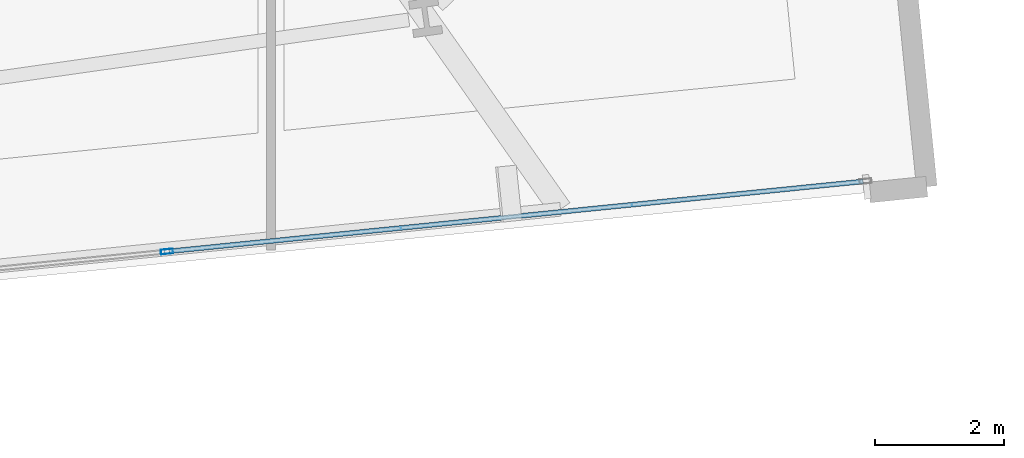
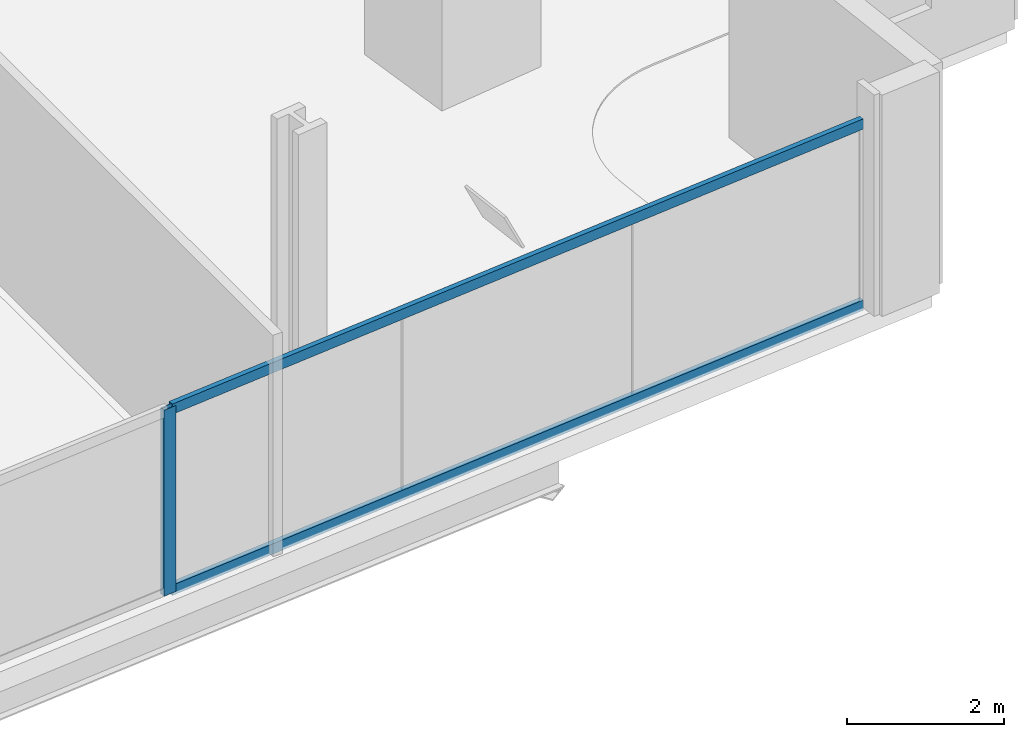
# One storey, part 9 of 33: 3 members, 1 element without a shape of its own.
"""IFC4 building model written with IfcOpenShell, lengths in metres."""

from ifc_helpers import new_model, si_unit, direction, frame, origin, origin_2d, place, context, subcontext, project, spatial, hollow_rectangle, extrude, material, material_profile, profile_set, type_object, element, aggregate, save


model = new_model("IFC4")

# Units and contexts
model_context = context("Model", 3, precision=1e-05, world=origin(), true_north=direction((0.0, 1.0)))
body_context = subcontext(model_context, "Body", "Model", "MODEL_VIEW")
ifc_project = project(units=[si_unit("LENGTHUNIT", "METRE"), si_unit("AREAUNIT", "SQUARE_METRE"), si_unit("VOLUMEUNIT", "CUBIC_METRE"), si_unit("PLANEANGLEUNIT", "RADIAN"), si_unit("MASSUNIT", "GRAM", prefix="KILO")], contexts=[model_context])

# Site, building, storey
site_placement = place(None, origin())
site = spatial("IfcSite", under=ifc_project, at=site_placement, CompositionType="ELEMENT")
building_placement = place(site_placement, origin())
building = spatial("IfcBuilding", under=site, at=building_placement, Name="Haldenkirk Collegiate Tower", CompositionType="ELEMENT")
storey_placement = place(building_placement, frame((0.0, 0.0, 47.699951171875)))
storey = spatial("IfcBuildingStorey", under=building, at=storey_placement, Name="L10", CompositionType="ELEMENT", Elevation=47.699951171875)

# Curtain wall, members
ifc_material = material(Name="Anodised architectural bronze aluminium", Category="aluminium")
curtain_wall_type = type_object("IfcCurtainWallType", Name="CW-SYS2-CONCAVE", PredefinedType="USERDEFINED", material=ifc_material)
curtain_wall_placement = place(storey_placement, origin())
curtain_wall = element("IfcCurtainWall", 1, at=curtain_wall_placement, inside=storey, type_object=curtain_wall_type, Name="L10 South concave recessed bronze-anodised curtain wall", ObjectType="UNITISED CURTAIN WALL", PredefinedType="USERDEFINED")
ifc_material_profile_1 = material_profile(ifc_material, hollow_rectangle(XDim=0.074951171875, YDim=0.18994140625, WallThickness=0.0048828125, at=origin_2d()), Name="CW-MUL-02")
ifc_profile_set_1 = profile_set([ifc_material_profile_1], Name="Anodised architectural bronze aluminium")
member_type_1 = type_object("IfcMemberType", Name="CW-MUL-02", PredefinedType="MULLION", material=ifc_profile_set_1)
member_1_placement = place(storey_placement, frame((49.381591796875, 2.40185546875, 0.0), z_axis=(0.0, 0.0, 1.0), x_axis=(0.100187271136, -0.994968597847, 0.0)))
member_1 = element("IfcMember", 2, at=member_1_placement, type_object=member_type_1, Name="CW-02 mullion 2", PredefinedType="MULLION", context=body_context, shape_type="SweptSolid", body=[
    extrude(hollow_rectangle(XDim=0.074951171875, YDim=0.18994140625, WallThickness=0.0048828125, at=origin_2d()), origin(), (0.0, 0.0, 1.0), 2.89111328125),
])
ifc_material_profile_2 = material_profile(ifc_material, hollow_rectangle(XDim=0.074951171875, YDim=0.159912109375, WallThickness=0.0048828125, at=origin_2d()), Name="CW-TRN-02")
ifc_profile_set_2 = profile_set([ifc_material_profile_2], Name="Anodised architectural bronze aluminium")
member_type_2 = type_object("IfcMemberType", Name="CW-TRN-02", PredefinedType="USERDEFINED", material=ifc_profile_set_2)
member_2_placement = place(storey_placement, frame((60.201904296875, 3.491455078125, 0.03759765625), z_axis=(-0.994969378387, -0.100179519227, 0.0), x_axis=(0.100179519227, -0.994969378387, 0.0)))
member_2 = element("IfcMember", 3, at=member_2_placement, type_object=member_type_2, Name="CW-02 transom 1.1", ObjectType="TRANSOM", PredefinedType="USERDEFINED", context=body_context, shape_type="SweptSolid", body=[
    extrude(hollow_rectangle(XDim=0.074951171875, YDim=0.159912109375, WallThickness=0.0048828125, at=origin_2d()), origin(), (0.0, 0.0, 1.0), 10.83740234375),
])
member_3_placement = place(storey_placement, frame((60.201904296875, 3.491455078125, 2.853515625), z_axis=(-0.994969378387, -0.100179519227, 0.0), x_axis=(0.100179519227, -0.994969378387, 0.0)))
member_3 = element("IfcMember", 4, at=member_3_placement, type_object=member_type_2, Name="CW-02 transom 1.2", ObjectType="TRANSOM", PredefinedType="USERDEFINED", context=body_context, shape_type="SweptSolid", body=[
    extrude(hollow_rectangle(XDim=0.074951171875, YDim=0.159912109375, WallThickness=0.0048828125, at=origin_2d()), origin(), (0.0, 0.0, 1.0), 10.83740234375),
])
aggregate(curtain_wall, [member_1, member_2, member_3])

save(model, "model.ifc")
